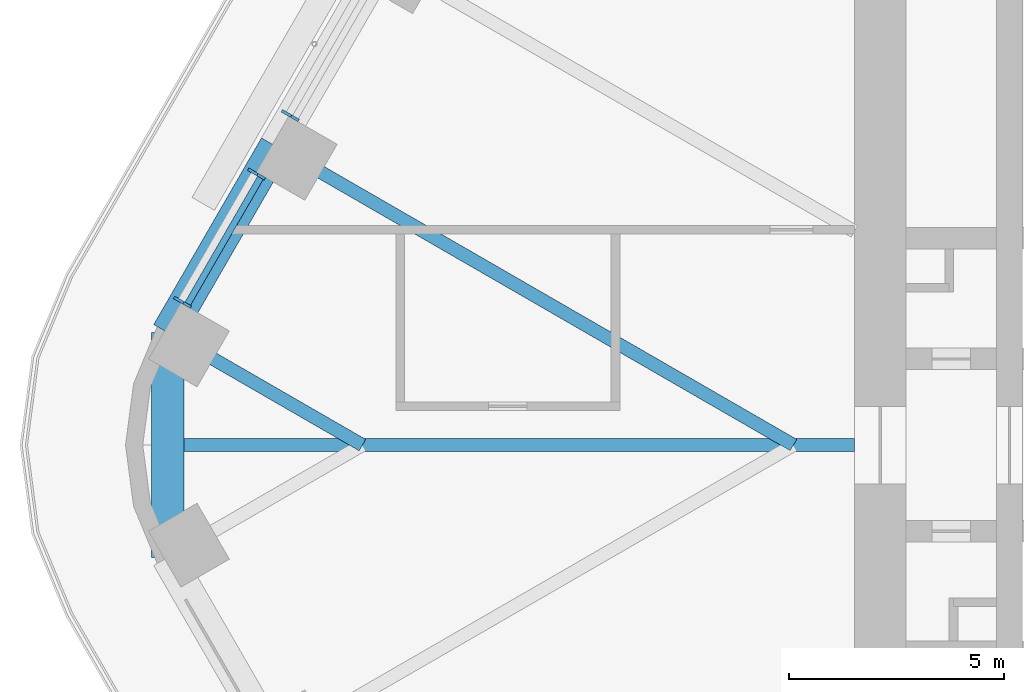
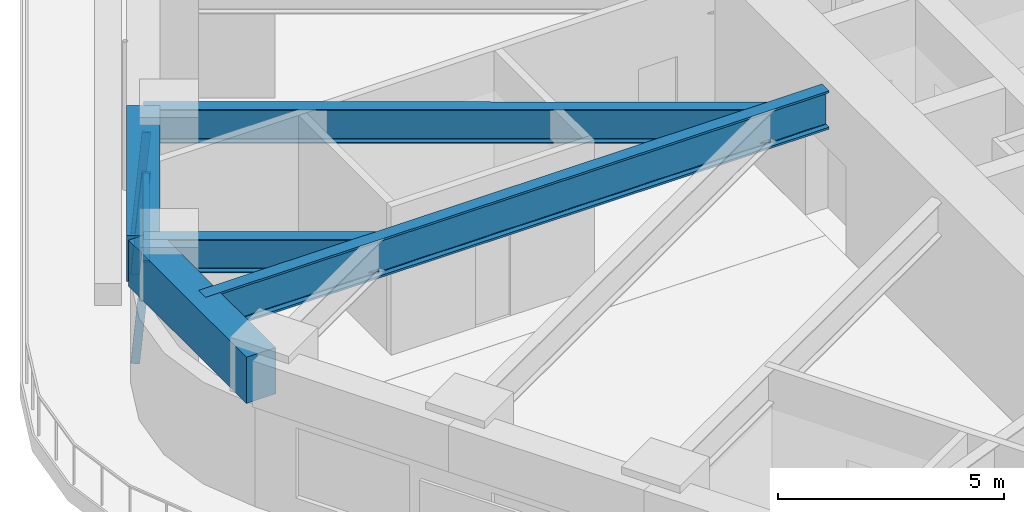
# One storey, part 6 of 24: 5 beams, 4 members, 2 elements without a shape of their own.
"""IFC4 building model written with IfcOpenShell, lengths in metres."""

from ifc_helpers import new_model, si_unit, direction, frame, origin, origin_2d, place, context, subcontext, project, spatial, rectangle, i_section, extrude, material, material_profile, profile_set, type_object, element, aggregate, save


model = new_model("IFC4")

# Units and contexts
model_context = context("Model", 3, precision=1e-05, world=origin(), true_north=direction((0.0, 1.0)))
body_context = subcontext(model_context, "Body", "Model", "MODEL_VIEW")
ifc_project = project(units=[si_unit("LENGTHUNIT", "METRE"), si_unit("AREAUNIT", "SQUARE_METRE"), si_unit("VOLUMEUNIT", "CUBIC_METRE"), si_unit("PLANEANGLEUNIT", "RADIAN"), si_unit("MASSUNIT", "GRAM", prefix="KILO")], contexts=[model_context])

# Site, building, storey
site_placement = place(None, origin())
site = spatial("IfcSite", under=ifc_project, at=site_placement, CompositionType="ELEMENT")
building_placement = place(site_placement, origin())
building = spatial("IfcBuilding", under=site, at=building_placement, Name="Tarfa Lantern Tower", CompositionType="ELEMENT")
storey_placement = place(building_placement, frame((0.0, 0.0, 186.699951171875)))
storey = spatial("IfcBuildingStorey", under=building, at=storey_placement, Name="L42", CompositionType="ELEMENT", Elevation=186.699951171875)

# Curtain wall, member
ifc_material_1 = material(Name="Aluminium framed curtain wall", Category="aluminium")
curtain_wall_type = type_object("IfcCurtainWallType", Name="CW2 CANTED GLAZING MID ZONE 2750", PredefinedType="USERDEFINED", material=ifc_material_1)
curtain_wall_1_placement = place(storey_placement, origin())
curtain_wall_1 = element("IfcCurtainWall", 1, at=curtain_wall_1_placement, inside=storey, type_object=curtain_wall_type, Name="CW2 NWB L42", ObjectType="CURTAIN WALL", PredefinedType="USERDEFINED")
ifc_material_2 = material(Name="Aluminium mullion", Category="aluminium")
ifc_material_profile_1 = material_profile(ifc_material_2, rectangle(XDim=0.06494140625, YDim=0.199951171875, at=origin_2d()), Name="AL MULLION 65x200")
ifc_profile_set_1 = profile_set([ifc_material_profile_1], Name="Aluminium mullion")
member_type_1 = type_object("IfcMemberType", Name="CWM1 MULLION 65x200", PredefinedType="MULLION", material=ifc_profile_set_1)
member_1_placement = place(storey_placement, frame((-31.8056640625, 7.7109375, 0.0), z_axis=(0.078422950161, -0.045267813396, 0.995891894715), x_axis=(0.499919672301, 0.866071776036, 0.0)))
member_1 = element("IfcMember", 2, at=member_1_placement, type_object=member_type_1, Name="CW2 mullion 2", PredefinedType="MULLION", context=body_context, shape_type="SweptSolid", body=[
    extrude(rectangle(XDim=0.06494140625, YDim=0.199951171875, at=origin_2d()), origin(), (0.0, 0.0, 1.0), 2.76123046875),
])
aggregate(curtain_wall_1, [member_1])

# Curtain wall, members
curtain_wall_2_placement = place(storey_placement, origin())
curtain_wall_2 = element("IfcCurtainWall", 3, at=curtain_wall_2_placement, inside=storey, type_object=curtain_wall_type, Name="CW2 NWB L42", ObjectType="CURTAIN WALL", PredefinedType="USERDEFINED")
member_2_placement = place(storey_placement, frame((-32.588134765625, 6.355712890625, 0.0), z_axis=(0.078422950161, -0.045267813396, 0.995891894715), x_axis=(0.499919672301, 0.866071776036, 0.0)))
member_2 = element("IfcMember", 4, at=member_2_placement, type_object=member_type_1, Name="CW2 mullion 1", PredefinedType="MULLION", context=body_context, shape_type="SweptSolid", body=[
    extrude(rectangle(XDim=0.06494140625, YDim=0.199951171875, at=origin_2d()), origin(), (0.0, 0.0, 1.0), 2.76123046875),
])
member_3_placement = place(storey_placement, frame((-34.3076171875, 3.377685546875, 0.0), z_axis=(0.078422950161, -0.045267813396, 0.995891894715), x_axis=(0.499919672301, 0.866071776036, 0.0)))
member_3 = element("IfcMember", 5, at=member_3_placement, type_object=member_type_1, Name="CW2 mullion 2", PredefinedType="MULLION", context=body_context, shape_type="SweptSolid", body=[
    extrude(rectangle(XDim=0.06494140625, YDim=0.199951171875, at=origin_2d()), origin(), (0.0, 0.0, 1.0), 2.76123046875),
])
ifc_material_3 = material(Name="Aluminium transom", Category="aluminium")
ifc_material_profile_2 = material_profile(ifc_material_3, rectangle(XDim=0.14990234375, YDim=0.06494140625, at=origin_2d()), Name="AL TRANSOM 150x65")
ifc_profile_set_2 = profile_set([ifc_material_profile_2], Name="Aluminium transom")
member_type_2 = type_object("IfcMemberType", Name="CWT1 TRANSOM 150x65", PredefinedType="USERDEFINED", material=ifc_profile_set_2)
member_4_placement = place(storey_placement, frame((-32.390380859375, 6.2041015625, 2.717529296875), z_axis=(-0.500014760403, -0.866016881694, 0.0), x_axis=(0.866016881694, -0.500014760403, 0.0)))
member_4 = element("IfcMember", 6, at=member_4_placement, type_object=member_type_2, Name="CW2 transom 1.2", ObjectType="TRANSOM", PredefinedType="USERDEFINED", context=body_context, shape_type="SweptSolid", body=[
    extrude(rectangle(XDim=0.14990234375, YDim=0.06494140625, at=origin_2d()), origin(), (0.0, 0.0, 1.0), 3.3740234375),
])
aggregate(curtain_wall_2, [member_2, member_3, member_4])

# Beams
ifc_material_4 = material(Name="Concrete C80/95", Category="concrete")
ifc_material_profile_3 = material_profile(ifc_material_4, rectangle(XDim=0.75, YDim=1.25, at=origin_2d()), Name="RC 750x1250")
ifc_profile_set_3 = profile_set([ifc_material_profile_3], Name="Concrete C80/95")
beam_type_1 = type_object("IfcBeamType", Name="EB2 RC 750x1250", PredefinedType="SPANDREL", material=ifc_profile_set_3)
beam_1_placement = place(storey_placement, frame((-32.041015625, 6.943359375, 3.375), z_axis=(-0.500022324899, -0.866012514114, 0.0), x_axis=(0.866012514114, -0.500022324899, 0.0)))
element("IfcBeam", 7, at=beam_1_placement, inside=storey, type_object=beam_type_1, Name="Edge beam NW5", PredefinedType="SPANDREL", context=body_context, shape_type="SweptSolid", body=[
    extrude(rectangle(XDim=0.75, YDim=1.25, at=origin_2d()), origin(), (0.0, 0.0, 1.0), 5.003662109375),
])
beam_2_placement = place(storey_placement, frame((-34.54296875, 2.610107421875, 3.375), z_axis=(0.0, -1.0, 0.0), x_axis=(1.0, 0.0, 0.0)))
element("IfcBeam", 8, at=beam_2_placement, inside=storey, type_object=beam_type_1, Name="Edge beam NW6", PredefinedType="SPANDREL", context=body_context, shape_type="SweptSolid", body=[
    extrude(rectangle(XDim=0.75, YDim=1.25, at=origin_2d()), origin(), (0.0, 0.0, 1.0), 5.22021484375),
])
ifc_material_5 = material(Name="Steel S460M", Category="steel")
ifc_material_profile_4 = material_profile(ifc_material_5, i_section(OverallWidth=0.30859375, OverallDepth=1.036376953125, WebThickness=0.030029296875, FlangeThickness=0.05419921875, FilletRadius=0.030029296875, at=origin_2d()), Name="UB1016x305x487")
ifc_profile_set_4 = profile_set([ifc_material_profile_4], Name="Steel S460M")
beam_type_2 = type_object("IfcBeamType", Name="UB1016x305x487", PredefinedType="BEAM", material=ifc_profile_set_4)
beam_3_placement = place(storey_placement, frame((-18.60009765625, 0.0, 3.48193359375), z_axis=(-1.0, 0.0, 0.0), x_axis=(0.0, -1.0, 0.0)))
element("IfcBeam", 9, at=beam_3_placement, inside=storey, type_object=beam_type_2, Name="Hip girder W", PredefinedType="BEAM", context=body_context, shape_type="SweptSolid", body=[
    extrude(i_section(OverallWidth=0.30859375, OverallDepth=1.036376953125, WebThickness=0.030029296875, FlangeThickness=0.05419921875, FilletRadius=0.030029296875, at=origin_2d()), origin(), (0.0, 0.0, 1.0), 15.94287109375),
])
ifc_material_profile_5 = material_profile(ifc_material_5, i_section(OverallWidth=0.305419921875, OverallDepth=0.91845703125, WebThickness=0.017333984375, FlangeThickness=0.02783203125, FilletRadius=0.01904296875, at=origin_2d()), Name="UB914x305x253")
ifc_profile_set_5 = profile_set([ifc_material_profile_5], Name="Steel S460M")
beam_type_3 = type_object("IfcBeamType", Name="UB914x305x253", PredefinedType="BEAM", material=ifc_profile_set_5)
beam_4_placement = place(storey_placement, frame((-32.041015625, 6.943359375, 3.540771484375), z_axis=(0.866023096411, -0.500003996466, 0.0), x_axis=(0.500003996466, 0.866023096411, 0.0)))
element("IfcBeam", 10, at=beam_4_placement, inside=storey, type_object=beam_type_3, Name="Floor beam NW5", PredefinedType="BEAM", context=body_context, shape_type="SweptSolid", body=[
    extrude(i_section(OverallWidth=0.305419921875, OverallDepth=0.91845703125, WebThickness=0.017333984375, FlangeThickness=0.02783203125, FilletRadius=0.01904296875, at=origin_2d()), origin(), (0.0, 0.0, 1.0), 13.88671875),
])
beam_5_placement = place(storey_placement, frame((-34.54296875, 2.610107421875, 3.540771484375), z_axis=(0.866021250859, -0.500007193008, 0.0), x_axis=(0.500007193008, 0.866021250859, 0.0)))
element("IfcBeam", 11, at=beam_5_placement, inside=storey, type_object=beam_type_3, Name="Floor beam NW6", PredefinedType="BEAM", context=body_context, shape_type="SweptSolid", body=[
    extrude(i_section(OverallWidth=0.305419921875, OverallDepth=0.91845703125, WebThickness=0.017333984375, FlangeThickness=0.02783203125, FilletRadius=0.01904296875, at=origin_2d()), origin(), (0.0, 0.0, 1.0), 5.22021484375),
])

save(model, "model.ifc")
